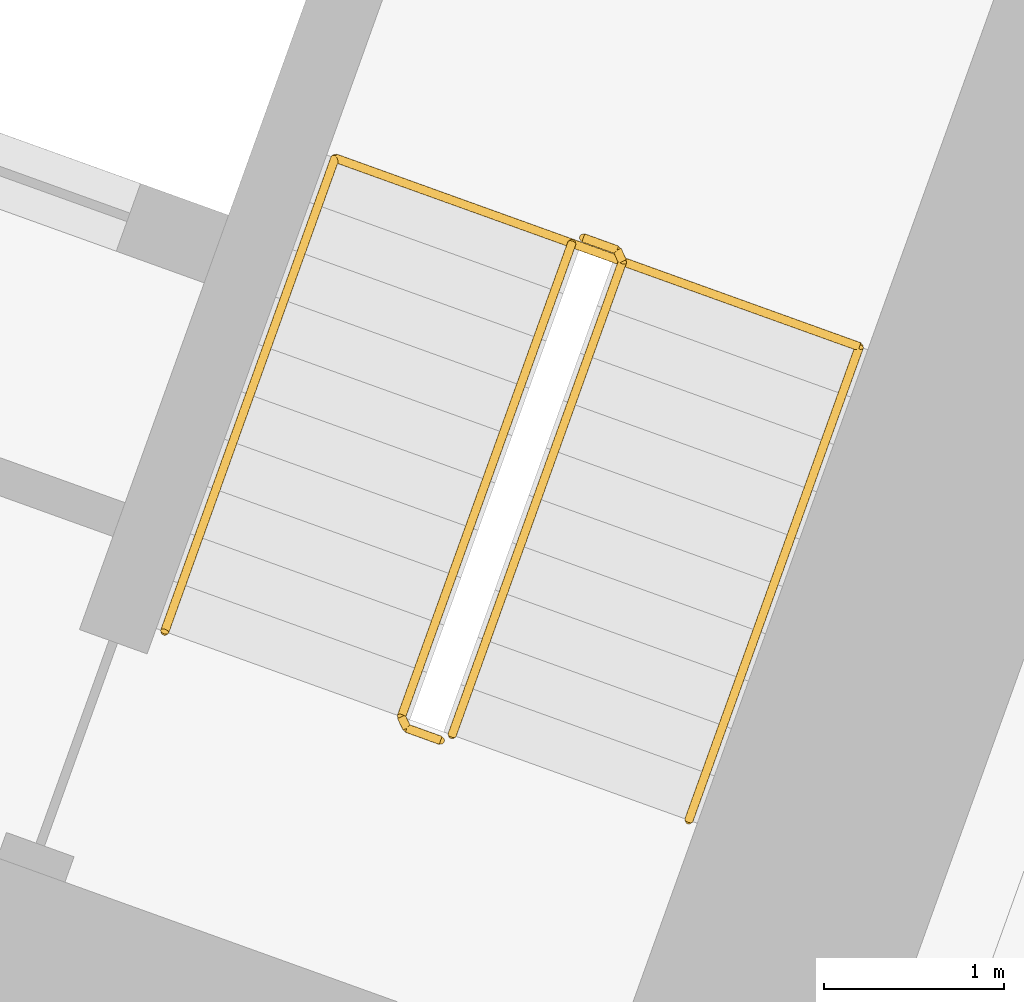
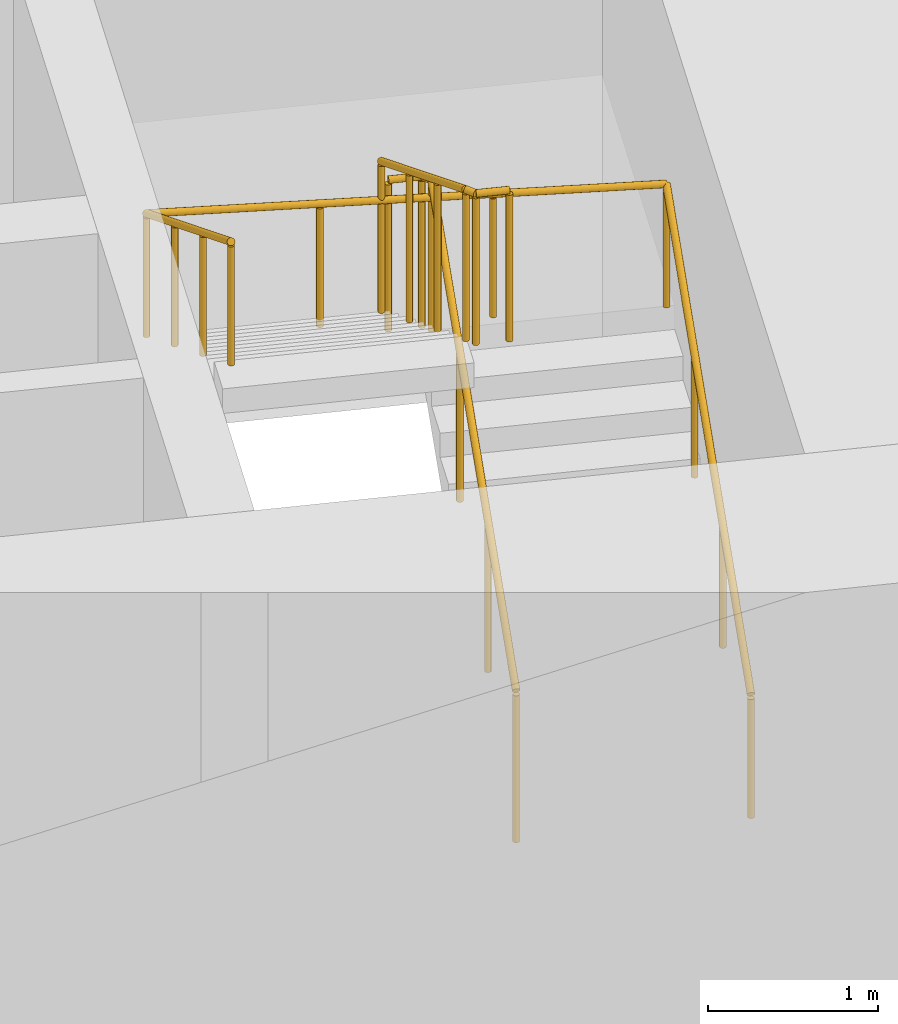
# One storey, part 23 of 23: 3 railings.
"""IFC4 building model written with IfcOpenShell, lengths in metres."""

from ifc_helpers import new_model, si_unit, direction, frame, origin, origin_2d, place, context, subcontext, project, spatial, circle, extrude, material, type_object, element, save


model = new_model("IFC4")

# Units and contexts
model_context = context("Model", 3, precision=1e-05, world=origin(), true_north=direction((0.0, 1.0)))
body_context = subcontext(model_context, "Body", "Model", "MODEL_VIEW")
ifc_project = project(units=[si_unit("LENGTHUNIT", "METRE"), si_unit("AREAUNIT", "SQUARE_METRE"), si_unit("VOLUMEUNIT", "CUBIC_METRE"), si_unit("PLANEANGLEUNIT", "RADIAN"), si_unit("MASSUNIT", "GRAM", prefix="KILO")], contexts=[model_context])

# Site, building, storey
site_placement = place(None, origin())
site = spatial("IfcSite", under=ifc_project, at=site_placement, CompositionType="ELEMENT")
building_placement = place(site_placement, origin())
building = spatial("IfcBuilding", under=site, at=building_placement, Name="Stone Belt Terrace Tower", CompositionType="ELEMENT")
storey_placement = place(building_placement, frame((0.0, 0.0, 166.800048828125)))
storey = spatial("IfcBuildingStorey", under=building, at=storey_placement, Name="L40", CompositionType="ELEMENT", Elevation=166.800048828125)

# Railings
ifc_material = material(Name="Structural steel C345", Category="steel")
railing_type_1 = type_object("IfcRailingType", Name="Stair guard 1100", PredefinedType="GUARDRAIL", material=ifc_material)
railing_1_placement = place(storey_placement, frame((24.494140625, 45.174560546875, 0.172607421875)))
element("IfcRailing", 1, at=railing_1_placement, inside=storey, type_object=railing_type_1, Name="L40 ST1B stair guard 1", PredefinedType="GUARDRAIL", context=body_context, shape_type="SweptSolid", body=[
    extrude(circle(Radius=0.02392578125, at=origin_2d()), frame((0.0, 0.0, 1.076171875), z_axis=(0.288228637646, 0.800791768495, 0.525030280985), x_axis=(-0.940908529223, 0.338660803216, 0.0)), (0.0, 0.0, 1.0), 3.289794921875),
    extrude(circle(Radius=0.02392578125, at=origin_2d()), frame((0.9482421875, 2.634521484375, 2.80322265625), z_axis=(-0.424964916, 0.905209821074, 0.0), x_axis=(-0.905209821074, -0.424964916, 0.0)), (0.0, 0.0, 1.0), 0.070556640625),
    extrude(circle(Radius=0.02392578125, at=origin_2d()), frame((0.918212890625, 2.698486328125, 2.80322265625), z_axis=(-0.941105063269, 0.338114270461, 0.0), x_axis=(-0.338114270461, -0.941105063269, 0.0)), (0.0, 0.0, 1.0), 0.199951171875),
    extrude(circle(Radius=0.02099609375, at=origin_2d()), origin(), (0.0, 0.0, 1.0), 1.052001953125),
    extrude(circle(Radius=0.02099609375, at=origin_2d()), frame((0.316162109375, 0.878173828125, 0.57568359375)), (0.0, 0.0, 1.0), 1.052001953125),
    extrude(circle(Radius=0.02099609375, at=origin_2d()), frame((0.632080078125, 1.75634765625, 1.151611328125)), (0.0, 0.0, 1.0), 1.052001953125),
    extrude(circle(Radius=0.02099609375, at=origin_2d()), frame((0.9482421875, 2.634521484375, 1.727294921875)), (0.0, 0.0, 1.0), 1.052001953125),
    extrude(circle(Radius=0.02099609375, at=origin_2d()), frame((0.918212890625, 2.698486328125, 1.727294921875)), (0.0, 0.0, 1.0), 1.052001953125),
    extrude(circle(Radius=0.02099609375, at=origin_2d()), frame((0.72998046875, 2.76611328125, 1.727294921875)), (0.0, 0.0, 1.0), 1.052001953125),
])
railing_2_placement = place(storey_placement, frame((25.16015625, 47.91064453125, 2.07275390625)))
element("IfcRailing", 2, at=railing_2_placement, inside=storey, type_object=railing_type_1, Name="L40 ST1B stair guard 2", PredefinedType="GUARDRAIL", context=body_context, shape_type="SweptSolid", body=[
    extrude(circle(Radius=0.02392578125, at=origin_2d()), frame((0.0, 0.0, 1.076171875), z_axis=(-0.288228637646, -0.800791768495, 0.525030280985), x_axis=(0.940908529223, -0.338660803216, 0.0)), (0.0, 0.0, 1.0), 3.289794921875),
    extrude(circle(Radius=0.02392578125, at=origin_2d()), frame((-0.9482421875, -2.634521484375, 2.80322265625), z_axis=(0.427789722475, -0.903878284585, 0.0), x_axis=(0.903878284585, 0.427789722475, 0.0)), (0.0, 0.0, 1.0), 0.07080078125),
    extrude(circle(Radius=0.02392578125, at=origin_2d()), frame((-0.91796875, -2.698486328125, 2.80322265625), z_axis=(0.940575576748, -0.339584429008, 0.0), x_axis=(0.339584429008, 0.940575576748, 0.0)), (0.0, 0.0, 1.0), 0.199951171875),
    extrude(circle(Radius=0.02099609375, at=origin_2d()), origin(), (0.0, 0.0, 1.0), 1.052001953125),
    extrude(circle(Radius=0.02099609375, at=origin_2d()), frame((-0.316162109375, -0.878173828125, 0.57568359375)), (0.0, 0.0, 1.0), 1.052001953125),
    extrude(circle(Radius=0.02099609375, at=origin_2d()), frame((-0.632080078125, -1.75634765625, 1.151611328125)), (0.0, 0.0, 1.0), 1.052001953125),
    extrude(circle(Radius=0.02099609375, at=origin_2d()), frame((-0.9482421875, -2.634521484375, 1.727294921875)), (0.0, 0.0, 1.0), 1.052001953125),
    extrude(circle(Radius=0.02099609375, at=origin_2d()), frame((-0.91796875, -2.698486328125, 1.727294921875)), (0.0, 0.0, 1.0), 1.052001953125),
    extrude(circle(Radius=0.02099609375, at=origin_2d()), frame((-0.72998046875, -2.766357421875, 1.727294921875)), (0.0, 0.0, 1.0), 1.052001953125),
])
railing_type_2 = type_object("IfcRailingType", Name="Stair handrail 900", PredefinedType="HANDRAIL", material=ifc_material)
railing_3_placement = place(storey_placement, frame((25.8115234375, 44.700439453125, 0.172607421875)))
element("IfcRailing", 3, at=railing_3_placement, inside=storey, type_object=railing_type_2, Name="L40 ST1B stair handrail 1", PredefinedType="HANDRAIL", context=body_context, shape_type="SweptSolid", body=[
    extrude(circle(Radius=0.02392578125, at=origin_2d()), frame((0.0, 0.0, 0.8759765625), z_axis=(0.288228637646, 0.800791768495, 0.525030280985), x_axis=(-0.940908529223, 0.338660803216, 0.0)), (0.0, 0.0, 1.0), 3.289794921875),
    extrude(circle(Radius=0.02392578125, at=origin_2d()), frame((0.9482421875, 2.634521484375, 2.60302734375), z_axis=(-0.939460408074, 0.338105101667, 0.055669398135), x_axis=(-0.338630230244, -0.940919532779, 0.0)), (0.0, 0.0, 1.0), 3.10498046875),
    extrude(circle(Radius=0.02392578125, at=origin_2d()), frame((-1.96875, 3.684326171875, 2.77587890625), z_axis=(-0.288160591223, -0.800808895155, 0.52504150989), x_axis=(0.940936311087, -0.338583606334, 0.0)), (0.0, 0.0, 1.0), 3.289794921875),
    extrude(circle(Radius=0.02099609375, at=origin_2d()), origin(), (0.0, 0.0, 1.0), 0.851806640625),
    extrude(circle(Radius=0.02099609375, at=origin_2d()), frame((0.316162109375, 0.878173828125, 0.57568359375)), (0.0, 0.0, 1.0), 0.851806640625),
    extrude(circle(Radius=0.02099609375, at=origin_2d()), frame((0.632080078125, 1.75634765625, 1.151611328125)), (0.0, 0.0, 1.0), 0.851806640625),
    extrude(circle(Radius=0.02099609375, at=origin_2d()), frame((0.9482421875, 2.634521484375, 1.727294921875)), (0.0, 0.0, 1.0), 0.851806640625),
    extrude(circle(Radius=0.02099609375, at=origin_2d()), frame((-0.024169921875, 2.984375, 1.784912109375)), (0.0, 0.0, 1.0), 0.851806640625),
    extrude(circle(Radius=0.02099609375, at=origin_2d()), frame((-0.996337890625, 3.33447265625, 1.842529296875)), (0.0, 0.0, 1.0), 0.851806640625),
    extrude(circle(Radius=0.02099609375, at=origin_2d()), frame((-1.96875, 3.684326171875, 1.900146484375)), (0.0, 0.0, 1.0), 0.851806640625),
    extrude(circle(Radius=0.02099609375, at=origin_2d()), frame((-2.28466796875, 2.80615234375, 2.475830078125)), (0.0, 0.0, 1.0), 0.851806640625),
    extrude(circle(Radius=0.02099609375, at=origin_2d()), frame((-2.600830078125, 1.927978515625, 3.0517578125)), (0.0, 0.0, 1.0), 0.851806640625),
    extrude(circle(Radius=0.02099609375, at=origin_2d()), frame((-2.916748046875, 1.0498046875, 3.62744140625)), (0.0, 0.0, 1.0), 0.851806640625),
])

save(model, "model.ifc")
